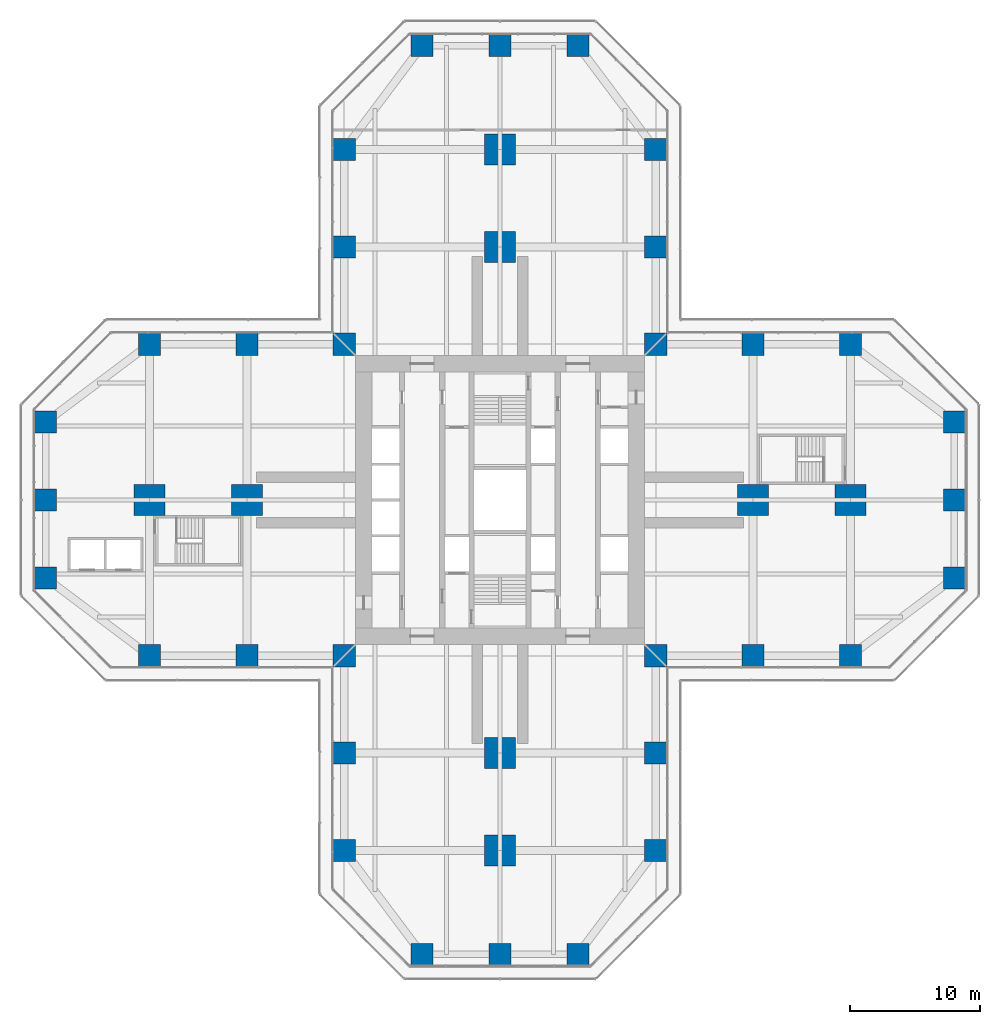
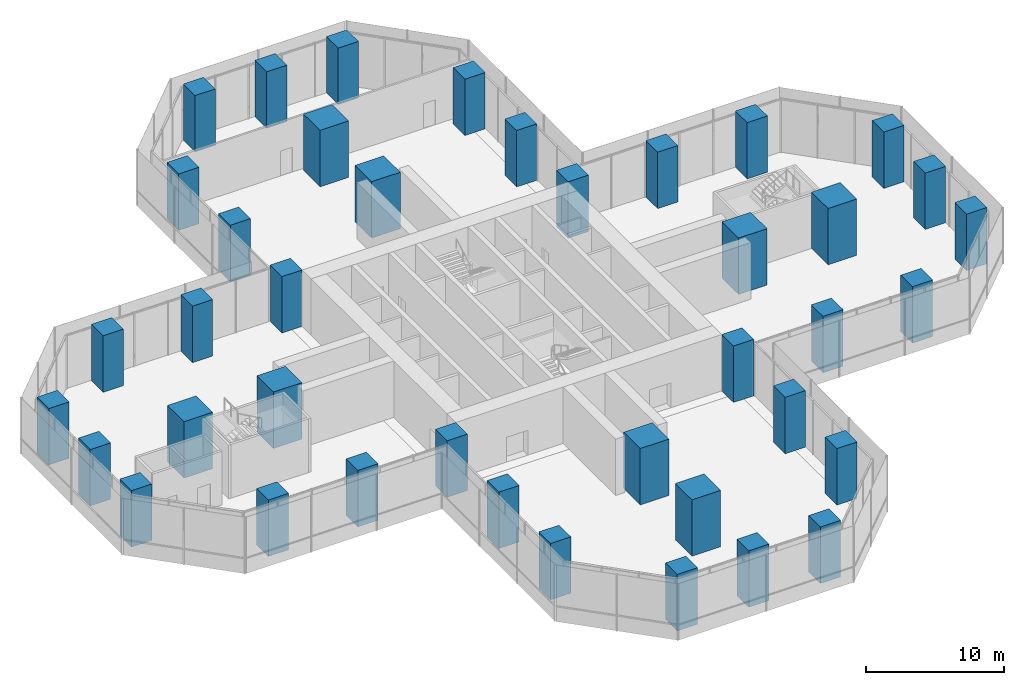
# One storey, part 1 of 23: 40 columns.
"""IFC4 building model written with IfcOpenShell, lengths in metres."""

from ifc_helpers import new_model, si_unit, direction, frame, origin, origin_2d, place, context, subcontext, project, spatial, rectangle, extrude, material, material_profile, profile_set, type_object, element, save


model = new_model("IFC4")

# Units and contexts
model_context = context("Model", 3, precision=1e-05, world=origin(), true_north=direction((0.0, 1.0)))
body_context = subcontext(model_context, "Body", "Model", "MODEL_VIEW")
ifc_project = project(units=[si_unit("LENGTHUNIT", "METRE"), si_unit("AREAUNIT", "SQUARE_METRE"), si_unit("VOLUMEUNIT", "CUBIC_METRE"), si_unit("PLANEANGLEUNIT", "RADIAN"), si_unit("MASSUNIT", "GRAM", prefix="KILO")], contexts=[model_context])

# Site, building, storey
site_placement = place(None, origin())
site = spatial("IfcSite", under=ifc_project, at=site_placement, CompositionType="ELEMENT")
building_placement = place(site_placement, origin())
building = spatial("IfcBuilding", under=site, at=building_placement, Name="Mizan Broadcast Tower", CompositionType="ELEMENT")
storey_placement = place(building_placement, frame((0.0, 0.0, 28.0)))
storey = spatial("IfcBuildingStorey", under=building, at=storey_placement, Name="L04", CompositionType="ELEMENT", Elevation=28.0)

# Columns
ifc_material_1 = material(Name="Concrete C70/85", Category="concrete")
ifc_material_profile_1 = material_profile(ifc_material_1, rectangle(XDim=1.699951171875, YDim=1.699951171875, at=origin_2d()), Name="RC 1700x1700")
ifc_profile_set_1 = profile_set([ifc_material_profile_1], Name="Concrete C70/85")
column_type_1 = type_object("IfcColumnType", Name="RC COLUMN 1700x1700 C70/85", PredefinedType="COLUMN", material=ifc_profile_set_1)
for number, where, z_axis, x_axis, name in (
    (1, (-6.0, -35.0, 0.0), (0.0, 0.0, 1.0), (1.0, 0.0, 0.0), "Column 5/A L04"),
    (2, (0.0, -35.0, 0.0), (0.0, 0.0, 1.0), (1.0, 0.0, 0.0), "Column 6/A L04"),
    (3, (6.0, -35.0, 0.0), (0.0, 0.0, 1.0), (1.0, 0.0, 0.0), "Column 7/A L04"),
    (4, (-12.0, -27.0, 0.0), (0.0, 0.0, 1.0), (1.0, 0.0, 0.0), "Column 4/B L04"),
    (5, (12.0, -27.0, 0.0), (0.0, 0.0, 1.0), (1.0, 0.0, 0.0), "Column 8/B L04"),
    (6, (-12.0, -19.5, 0.0), (0.0, 0.0, 1.0), (1.0, 0.0, 0.0), "Column 4/C L04"),
    (7, (12.0, -19.5, 0.0), (0.0, 0.0, 1.0), (1.0, 0.0, 0.0), "Column 8/C L04"),
    (8, (-27.0, -12.0, 0.0), (0.0, 0.0, 1.0), (1.0, 0.0, 0.0), "Column 2/D L04"),
    (9, (-19.5, -12.0, 0.0), (0.0, 0.0, 1.0), (1.0, 0.0, 0.0), "Column 3/D L04"),
    (10, (-12.0, -12.0, 0.0), (0.0, 0.0, 1.0), (1.0, 0.0, 0.0), "Column 4/D L04"),
    (11, (12.0, -12.0, 0.0), (0.0, 0.0, 1.0), (1.0, 0.0, 0.0), "Column 8/D L04"),
    (12, (19.5, -12.0, 0.0), (0.0, 0.0, 1.0), (1.0, 0.0, 0.0), "Column 9/D L04"),
    (13, (27.0, -12.0, 0.0), (0.0, 0.0, 1.0), (1.0, 0.0, 0.0), "Column 10/D L04"),
    (14, (-35.0, -6.0, 0.0), (0.0, 0.0, 1.0), (1.0, 0.0, 0.0), "Column 1/E L04"),
    (15, (35.0, -6.0, 0.0), (0.0, 0.0, 1.0), (1.0, 0.0, 0.0), "Column 11/E L04"),
    (16, (-35.0, 0.0, 0.0), (0.0, 0.0, 1.0), (1.0, 0.0, 0.0), "Column 1/F L04"),
    (17, (35.0, 0.0, 0.0), (0.0, 0.0, 1.0), (1.0, 0.0, 0.0), "Column 11/F L04"),
    (18, (-35.0, 6.0, 0.0), (0.0, 0.0, 1.0), (1.0, 0.0, 0.0), "Column 1/G L04"),
    (19, (35.0, 6.0, 0.0), (0.0, 0.0, 1.0), (1.0, 0.0, 0.0), "Column 11/G L04"),
    (20, (-27.0, 12.0, 0.0), (0.0, 0.0, 1.0), (1.0, 0.0, 0.0), "Column 2/H L04"),
    (21, (-19.5, 12.0, 0.0), (0.0, 0.0, 1.0), (1.0, 0.0, 0.0), "Column 3/H L04"),
    (22, (-12.0, 12.0, 0.0), (0.0, 0.0, 1.0), (1.0, 0.0, 0.0), "Column 4/H L04"),
    (23, (12.0, 12.0, 0.0), (0.0, 0.0, 1.0), (1.0, 0.0, 0.0), "Column 8/H L04"),
    (24, (19.5, 12.0, 0.0), (0.0, 0.0, 1.0), (1.0, 0.0, 0.0), "Column 9/H L04"),
    (25, (27.0, 12.0, 0.0), (0.0, 0.0, 1.0), (1.0, 0.0, 0.0), "Column 10/H L04"),
    (26, (-12.0, 19.5, 0.0), (0.0, 0.0, 1.0), (1.0, 0.0, 0.0), "Column 4/J L04"),
    (27, (12.0, 19.5, 0.0), (0.0, 0.0, 1.0), (1.0, 0.0, 0.0), "Column 8/J L04"),
    (28, (-12.0, 27.0, 0.0), (0.0, 0.0, 1.0), (1.0, 0.0, 0.0), "Column 4/K L04"),
    (29, (12.0, 27.0, 0.0), (0.0, 0.0, 1.0), (1.0, 0.0, 0.0), "Column 8/K L04"),
    (30, (-6.0, 35.0, 0.0), (0.0, 0.0, 1.0), (1.0, 0.0, 0.0), "Column 5/L L04"),
    (31, (0.0, 35.0, 0.0), (0.0, 0.0, 1.0), (1.0, 0.0, 0.0), "Column 6/L L04"),
    (32, (6.0, 35.0, 0.0), (0.0, 0.0, 1.0), (1.0, 0.0, 0.0), "Column 7/L L04"),
):
    element("IfcColumn", number, at=place(storey_placement, frame(where, z_axis=z_axis, x_axis=x_axis)), inside=storey, type_object=column_type_1, Name=name, PredefinedType="COLUMN", context=body_context, shape_type="SweptSolid", body=[
        extrude(rectangle(XDim=1.699951171875, YDim=1.699951171875, at=origin_2d()), origin(), (0.0, 0.0, 1.0), 5.0),
    ])
ifc_material_2 = material(Name="Concrete C70/85", Category="concrete")
ifc_material_profile_2 = material_profile(ifc_material_2, rectangle(XDim=2.39990234375, YDim=2.39990234375, at=origin_2d()), Name="RC 2400x2400")
ifc_profile_set_2 = profile_set([ifc_material_profile_2], Name="Concrete C70/85")
column_type_2 = type_object("IfcColumnType", Name="RC COLUMN 2400x2400 C70/85", PredefinedType="COLUMN", material=ifc_profile_set_2)
for number, where, z_axis, x_axis, name in (
    (33, (0.0, -27.0, 0.0), (0.0, 0.0, 1.0), (1.0, 0.0, 0.0), "Column 6/B L04"),
    (34, (0.0, -19.5, 0.0), (0.0, 0.0, 1.0), (1.0, 0.0, 0.0), "Column 6/C L04"),
    (35, (-27.0, 0.0, 0.0), (0.0, 0.0, 1.0), (1.0, 0.0, 0.0), "Column 2/F L04"),
    (36, (-19.5, 0.0, 0.0), (0.0, 0.0, 1.0), (1.0, 0.0, 0.0), "Column 3/F L04"),
    (37, (19.5, 0.0, 0.0), (0.0, 0.0, 1.0), (1.0, 0.0, 0.0), "Column 9/F L04"),
    (38, (27.0, 0.0, 0.0), (0.0, 0.0, 1.0), (1.0, 0.0, 0.0), "Column 10/F L04"),
    (39, (0.0, 19.5, 0.0), (0.0, 0.0, 1.0), (1.0, 0.0, 0.0), "Column 6/J L04"),
    (40, (0.0, 27.0, 0.0), (0.0, 0.0, 1.0), (1.0, 0.0, 0.0), "Column 6/K L04"),
):
    element("IfcColumn", number, at=place(storey_placement, frame(where, z_axis=z_axis, x_axis=x_axis)), inside=storey, type_object=column_type_2, Name=name, PredefinedType="COLUMN", context=body_context, shape_type="SweptSolid", body=[
        extrude(rectangle(XDim=2.39990234375, YDim=2.39990234375, at=origin_2d()), origin(), (0.0, 0.0, 1.0), 5.0),
    ])

save(model, "model.ifc")
